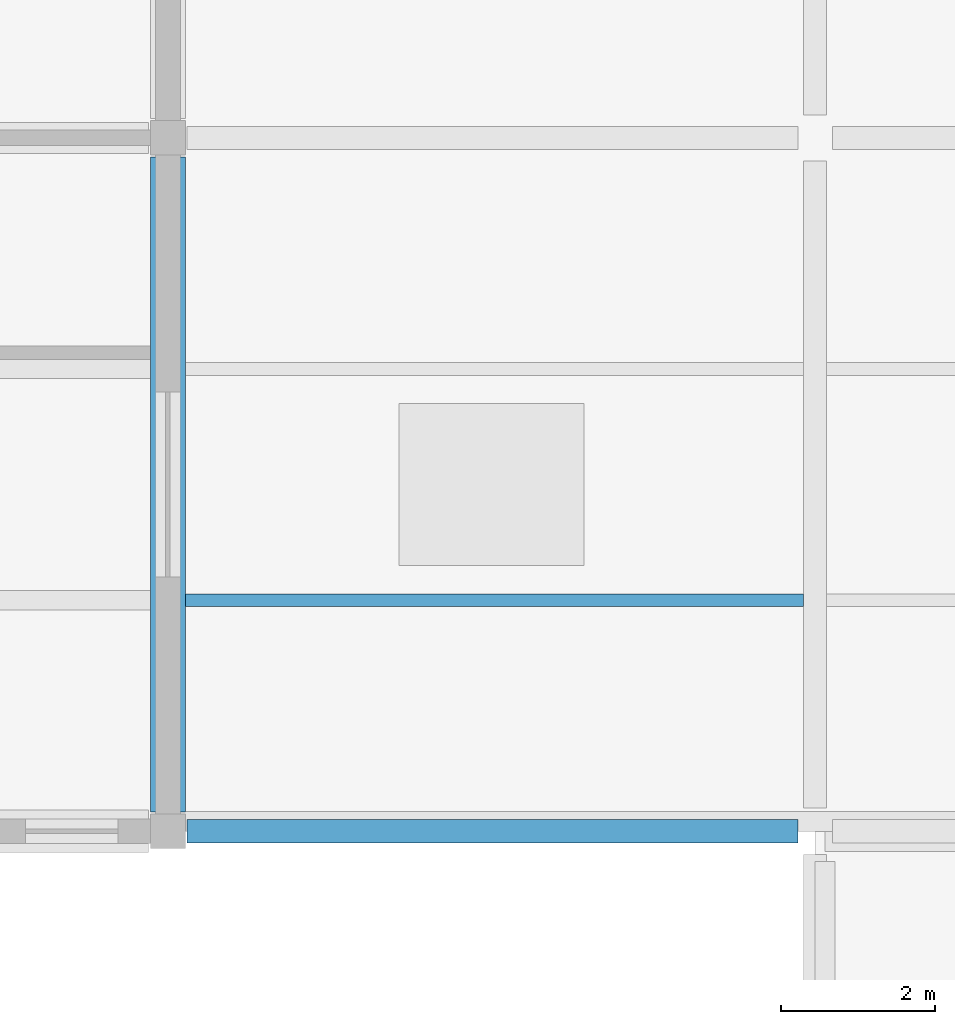
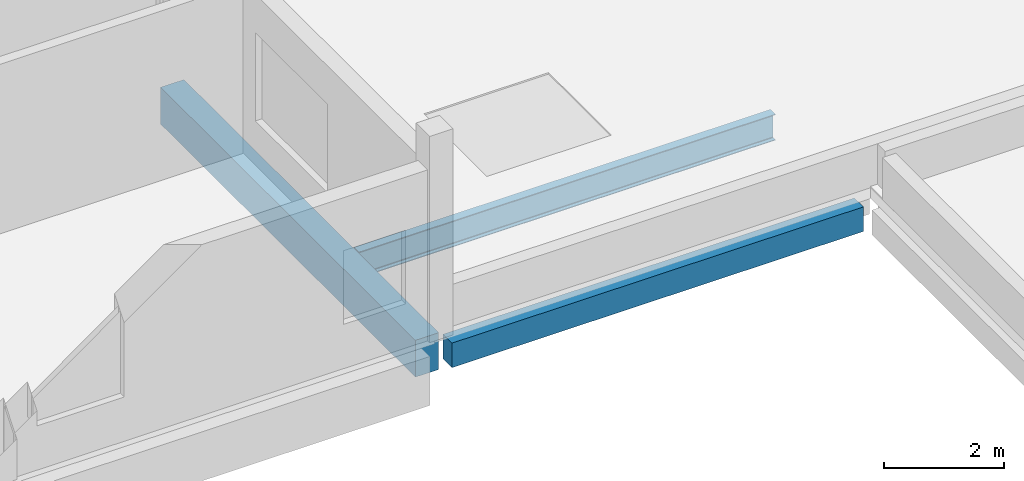
# One storey, part 27 of 62: 3 beams.
"""IFC4 building model written with IfcOpenShell, lengths in metres."""

from ifc_helpers import new_model, si_unit, direction, frame, origin, origin_2d, place, context, subcontext, project, spatial, rectangle, i_section, extrude, material, material_profile, profile_set, type_object, element, save


model = new_model("IFC4")

# Units and contexts
model_context = context("Model", 3, precision=1e-05, world=origin(), true_north=direction((0.0, 1.0)))
body_context = subcontext(model_context, "Body", "Model", "MODEL_VIEW")
ifc_project = project(units=[si_unit("LENGTHUNIT", "METRE"), si_unit("AREAUNIT", "SQUARE_METRE"), si_unit("VOLUMEUNIT", "CUBIC_METRE"), si_unit("PLANEANGLEUNIT", "RADIAN"), si_unit("MASSUNIT", "GRAM", prefix="KILO")], contexts=[model_context])

# Site, building, storey
site_placement = place(None, origin())
site = spatial("IfcSite", under=ifc_project, at=site_placement, CompositionType="ELEMENT")
building_placement = place(site_placement, origin())
building = spatial("IfcBuilding", under=site, at=building_placement, Name="Vireocrest Preparatory School", CompositionType="ELEMENT")
storey_placement = place(building_placement, frame((0.0, 0.0, 17.39990234375)))
storey = spatial("IfcBuildingStorey", under=building, at=storey_placement, Name="L04", CompositionType="ELEMENT", Elevation=17.39990234375)

# Beams
ifc_material_1 = material(Name="Structural steel ASTM A992 Grade 50", Category="steel")
ifc_material_profile_1 = material_profile(ifc_material_1, i_section(OverallWidth=0.166015625, OverallDepth=0.529052734375, WebThickness=0.009765625, FlangeThickness=0.013671875, FilletRadius=0.014892578125, at=origin_2d()), Name="W21X50")
ifc_profile_set_1 = profile_set([ifc_material_profile_1], Name="Structural steel ASTM A992 Grade 50")
beam_type_1 = type_object("IfcBeamType", Name="Pavilion Roof Joist W21X50", PredefinedType="JOIST", material=ifc_profile_set_1)
beam_1_placement = place(storey_placement, frame((84.22509765625, 97.800048828125, -0.484375), z_axis=(1.0, 0.0, 0.0), x_axis=(0.0, 1.0, 0.0)))
element("IfcBeam", 1, at=beam_1_placement, inside=storey, type_object=beam_type_1, Name="Secondary Joist SJ1 L04-1477", PredefinedType="JOIST", context=body_context, shape_type="SweptSolid", body=[
    extrude(i_section(OverallWidth=0.166015625, OverallDepth=0.529052734375, WebThickness=0.009765625, FlangeThickness=0.013671875, FilletRadius=0.014892578125, at=origin_2d()), origin(), (0.0, 0.0, 1.0), 8.02490234375),
])
ifc_material_2 = material(Name="Concrete 40 MPa", Category="concrete")
ifc_material_profile_2 = material_profile(ifc_material_2, rectangle(XDim=0.449951171875, YDim=0.75, at=origin_2d()), Name="RC 450x750")
ifc_profile_set_2 = profile_set([ifc_material_profile_2], Name="Concrete 40 MPa")
beam_type_2 = type_object("IfcBeamType", Name="RC Library Stack Girder 450x750", PredefinedType="BEAM", material=ifc_profile_set_2)
beam_2_placement = place(storey_placement, frame((84.0, 95.050048828125, -0.614990234375), z_axis=(0.0, 1.0, 0.0), x_axis=(-1.0, 0.0, 0.0)))
element("IfcBeam", 2, at=beam_2_placement, inside=storey, type_object=beam_type_2, Name="Primary Girder B11 L04-1390", PredefinedType="BEAM", context=body_context, shape_type="SweptSolid", body=[
    extrude(rectangle(XDim=0.449951171875, YDim=0.75, at=origin_2d()), origin(), (0.0, 0.0, 1.0), 8.5),
])
ifc_material_profile_3 = material_profile(ifc_material_2, rectangle(XDim=0.300048828125, YDim=0.5, at=origin_2d()), Name="RC 300x500")
ifc_profile_set_3 = profile_set([ifc_material_profile_3], Name="Concrete 40 MPa")
beam_type_3 = type_object("IfcBeamType", Name="RC Roof Edge Beam 300x500", PredefinedType="BEAM", material=ifc_profile_set_3)
beam_3_placement = place(storey_placement, frame((84.25, 94.800048828125, -0.469970703125), z_axis=(1.0, 0.0, 0.0), x_axis=(0.0, 1.0, 0.0)))
element("IfcBeam", 3, at=beam_3_placement, inside=storey, type_object=beam_type_3, Name="Primary Girder B01 L04-1331", PredefinedType="BEAM", context=body_context, shape_type="SweptSolid", body=[
    extrude(rectangle(XDim=0.300048828125, YDim=0.5, at=origin_2d()), origin(), (0.0, 0.0, 1.0), 7.925048828125),
])

save(model, "model.ifc")
